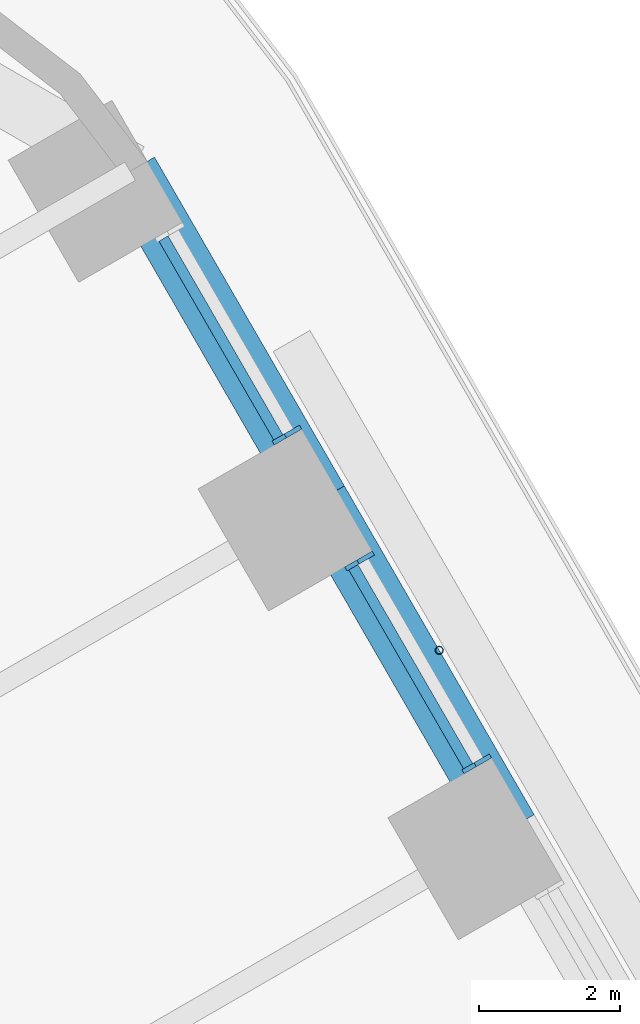
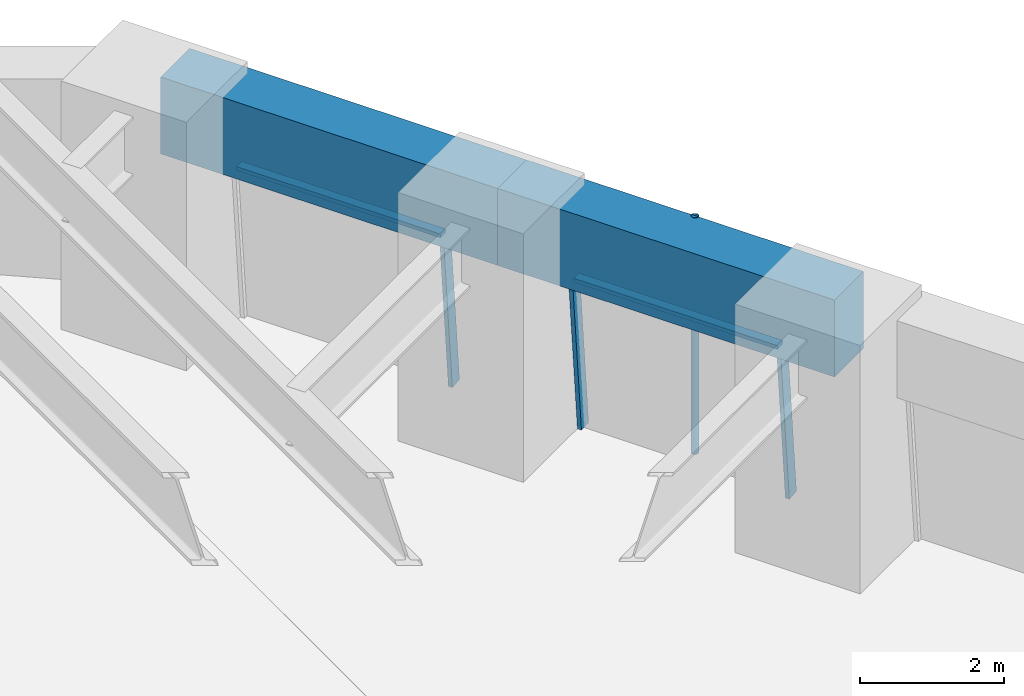
# One storey, part 11 of 23: 6 members, 2 beams, 2 elements without a shape of their own.
"""IFC4 building model written with IfcOpenShell, lengths in metres."""

from ifc_helpers import new_model, si_unit, direction, frame, origin, origin_2d, place, context, subcontext, project, spatial, rectangle, hollow_circle, extrude, material, material_profile, profile_set, type_object, element, aggregate, save


model = new_model("IFC4")

# Units and contexts
model_context = context("Model", 3, precision=1e-05, world=origin(), true_north=direction((0.0, 1.0)))
body_context = subcontext(model_context, "Body", "Model", "MODEL_VIEW")
ifc_project = project(units=[si_unit("LENGTHUNIT", "METRE"), si_unit("AREAUNIT", "SQUARE_METRE"), si_unit("VOLUMEUNIT", "CUBIC_METRE"), si_unit("PLANEANGLEUNIT", "RADIAN"), si_unit("MASSUNIT", "GRAM", prefix="KILO")], contexts=[model_context])

# Site, building, storey
site_placement = place(None, origin())
site = spatial("IfcSite", under=ifc_project, at=site_placement, CompositionType="ELEMENT")
building_placement = place(site_placement, origin())
building = spatial("IfcBuilding", under=site, at=building_placement, Name="Tarfa Lantern Tower", CompositionType="ELEMENT")
storey_placement = place(building_placement, frame((0.0, 0.0, 78.10009765625)))
storey = spatial("IfcBuildingStorey", under=building, at=storey_placement, Name="L17", CompositionType="ELEMENT", Elevation=78.10009765625)

# Curtain wall, members
ifc_material_1 = material(Name="Aluminium framed curtain wall", Category="aluminium")
curtain_wall_type = type_object("IfcCurtainWallType", Name="CW1 CANTED GLAZING LOW ZONE 2700", PredefinedType="USERDEFINED", material=ifc_material_1)
curtain_wall_1_placement = place(storey_placement, origin())
curtain_wall_1 = element("IfcCurtainWall", 1, at=curtain_wall_1_placement, inside=storey, type_object=curtain_wall_type, Name="CW1 NE L17", ObjectType="CURTAIN WALL", PredefinedType="USERDEFINED")
ifc_material_2 = material(Name="Aluminium mullion", Category="aluminium")
ifc_material_profile_1 = material_profile(ifc_material_2, rectangle(XDim=0.06494140625, YDim=0.199951171875, at=origin_2d()), Name="AL MULLION 65x200")
ifc_profile_set_1 = profile_set([ifc_material_profile_1], Name="Aluminium mullion")
member_type_1 = type_object("IfcMemberType", Name="CWM1 MULLION 65x200", PredefinedType="MULLION", material=ifc_profile_set_1)
member_1_placement = place(storey_placement, frame((26.147705078125, 22.5107421875, 0.0), z_axis=(-0.07986442134, -0.046099868913, 0.99573916077), x_axis=(0.499919672301, -0.866071776036, 0.0)))
member_1 = element("IfcMember", 2, at=member_1_placement, type_object=member_type_1, Name="CW1 mullion 1", PredefinedType="MULLION", context=body_context, shape_type="SweptSolid", body=[
    extrude(rectangle(XDim=0.06494140625, YDim=0.199951171875, at=origin_2d()), origin(), (0.0, 0.0, 1.0), 2.71142578125),
])
member_2_placement = place(storey_placement, frame((24.48583984375, 25.38916015625, 0.0), z_axis=(-0.07986442134, -0.046099868913, 0.99573916077), x_axis=(0.499919672301, -0.866071776036, 0.0)))
member_2 = element("IfcMember", 3, at=member_2_placement, type_object=member_type_1, Name="CW1 mullion 2", PredefinedType="MULLION", context=body_context, shape_type="SweptSolid", body=[
    extrude(rectangle(XDim=0.06494140625, YDim=0.199951171875, at=origin_2d()), origin(), (0.0, 0.0, 1.0), 2.71142578125),
])

# Curtain wall, member
curtain_wall_2_placement = place(storey_placement, origin())
curtain_wall_2 = element("IfcCurtainWall", 4, at=curtain_wall_2_placement, inside=storey, type_object=curtain_wall_type, Name="CW1 NE L17", ObjectType="CURTAIN WALL", PredefinedType="USERDEFINED")
member_3_placement = place(storey_placement, frame((23.453369140625, 27.177490234375, 0.0), z_axis=(-0.07986442134, -0.046099868913, 0.99573916077), x_axis=(0.499919672301, -0.866071776036, 0.0)))
member_3 = element("IfcMember", 5, at=member_3_placement, type_object=member_type_1, Name="CW1 mullion 1", PredefinedType="MULLION", context=body_context, shape_type="SweptSolid", body=[
    extrude(rectangle(XDim=0.06494140625, YDim=0.199951171875, at=origin_2d()), origin(), (0.0, 0.0, 1.0), 2.71142578125),
])

# Member
ifc_material_3 = material(Name="Aluminium transom", Category="aluminium")
ifc_material_profile_2 = material_profile(ifc_material_3, rectangle(XDim=0.14990234375, YDim=0.06494140625, at=origin_2d()), Name="AL TRANSOM 150x65")
ifc_profile_set_2 = profile_set([ifc_material_profile_2], Name="Aluminium transom")
member_type_2 = type_object("IfcMemberType", Name="CWT1 TRANSOM 150x65", PredefinedType="USERDEFINED", material=ifc_profile_set_2)
member_4_placement = place(storey_placement, frame((25.91748046875, 22.41552734375, 2.66748046875), z_axis=(-0.499966746847, 0.86604460165, 0.0), x_axis=(-0.86604460165, -0.499966746847, 0.0)))
member_4 = element("IfcMember", 6, at=member_4_placement, type_object=member_type_2, Name="CW1 transom 1.2", ObjectType="TRANSOM", PredefinedType="USERDEFINED", context=body_context, shape_type="SweptSolid", body=[
    extrude(rectangle(XDim=0.14990234375, YDim=0.06494140625, at=origin_2d()), origin(), (0.0, 0.0, 1.0), 3.258544921875),
])

aggregate(curtain_wall_1, [member_1, member_2, member_4])

member_5_placement = place(storey_placement, frame((23.22314453125, 27.082275390625, 2.66748046875), z_axis=(-0.499966746847, 0.86604460165, 0.0), x_axis=(-0.86604460165, -0.499966746847, 0.0)))
member_5 = element("IfcMember", 7, at=member_5_placement, type_object=member_type_2, Name="CW1 transom 1.2", ObjectType="TRANSOM", PredefinedType="USERDEFINED", context=body_context, shape_type="SweptSolid", body=[
    extrude(rectangle(XDim=0.14990234375, YDim=0.06494140625, at=origin_2d()), origin(), (0.0, 0.0, 1.0), 3.258544921875),
])

aggregate(curtain_wall_2, [member_3, member_5])

# Beams
ifc_material_4 = material(Name="Concrete C80/95", Category="concrete")
ifc_material_profile_3 = material_profile(ifc_material_4, rectangle(XDim=0.800048828125, YDim=1.300048828125, at=origin_2d()), Name="RC 800x1300")
ifc_profile_set_3 = profile_set([ifc_material_profile_3], Name="Concrete C80/95")
beam_type = type_object("IfcBeamType", Name="EB1 RC 800x1300", PredefinedType="SPANDREL", material=ifc_profile_set_3)
for number, where, z_axis, x_axis, name in (
    (8, (26.508056640625, 21.526611328125, 3.349853515625), (-0.499998287579, 0.866026392449, 0.0), (-0.866026392449, -0.499998287579, 0.0), "Edge beam NE4"),
    (9, (23.813720703125, 26.193359375, 3.349853515625), (-0.499998287579, 0.866026392449, 0.0), (-0.866026392449, -0.499998287579, 0.0), "Edge beam NE5"),
):
    element("IfcBeam", number, at=place(storey_placement, frame(where, z_axis=z_axis, x_axis=x_axis)), inside=storey, type_object=beam_type, Name=name, PredefinedType="SPANDREL", context=body_context, shape_type="SweptSolid", body=[
        extrude(rectangle(XDim=0.800048828125, YDim=1.300048828125, at=origin_2d()), origin(), (0.0, 0.0, 1.0), 5.388671875),
    ])

# Member
ifc_material_5 = material(Name="Steel S355", Category="steel")
ifc_material_profile_4 = material_profile(ifc_material_5, hollow_circle(Radius=0.05712890625, WallThickness=0.00634765625, at=origin_2d()), Name="CHS114.3x6.3")
ifc_profile_set_4 = profile_set([ifc_material_profile_4], Name="Steel S355")
member_type_3 = type_object("IfcMemberType", Name="TR1 GREEN WALL TRELLIS CHS114.3x6.3", PredefinedType="USERDEFINED", material=ifc_profile_set_4)
member_6_placement = place(storey_placement, frame((25.50732421875, 24.06005859375, 0.0), z_axis=(0.0, 0.0, 1.0), x_axis=(1.0, 0.0, 0.0)))
element("IfcMember", 10, at=member_6_placement, inside=storey, type_object=member_type_3, Name="Trellis post NE 2", ObjectType="TRELLIS", PredefinedType="USERDEFINED", context=body_context, shape_type="SweptSolid", body=[
    extrude(hollow_circle(Radius=0.05712890625, WallThickness=0.00634765625, at=origin_2d()), origin(), (0.0, 0.0, 1.0), 4.0),
])

save(model, "model.ifc")
